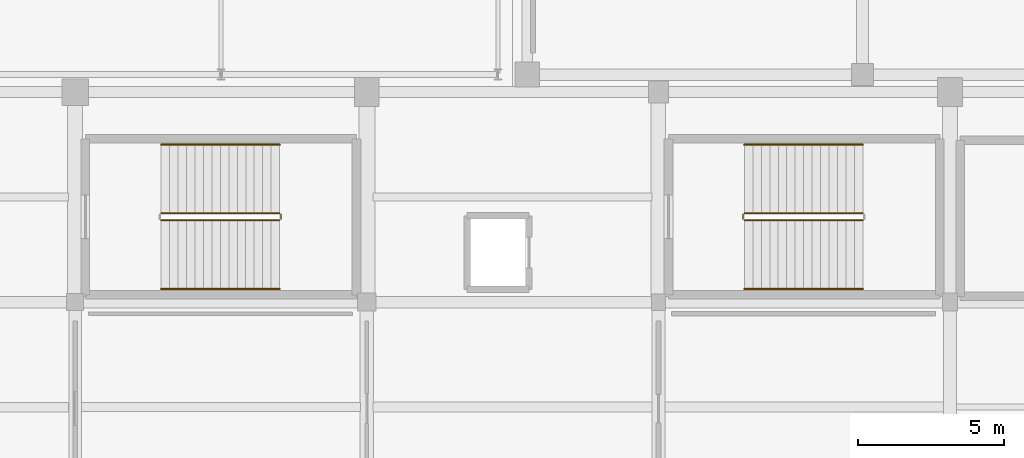
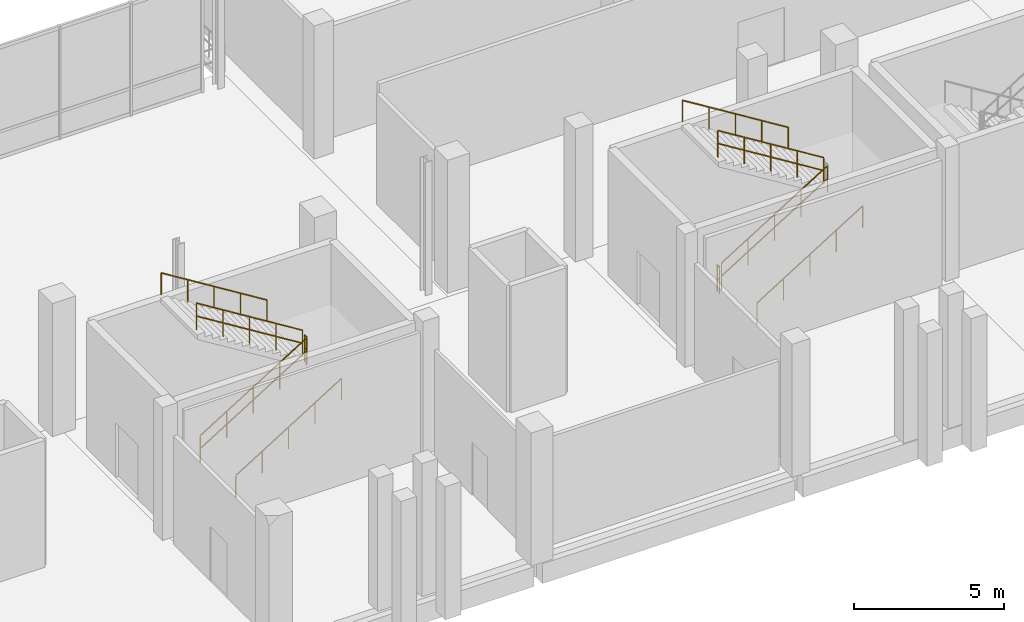
# One storey, part 111 of 114: 10 railings.
"""IFC4 building model written with IfcOpenShell, lengths in metres."""

from ifc_helpers import new_model, si_unit, direction, frame, origin, origin_2d, place, context, subcontext, project, spatial, circle, extrude, material, layer, layer_set, type_object, element, save


model = new_model("IFC4")

# Units and contexts
model_context = context("Model", 3, precision=1e-05, world=origin(), true_north=direction((0.0, 1.0)))
body_context = subcontext(model_context, "Body", "Model", "MODEL_VIEW")
ifc_project = project(units=[si_unit("LENGTHUNIT", "METRE"), si_unit("AREAUNIT", "SQUARE_METRE"), si_unit("VOLUMEUNIT", "CUBIC_METRE"), si_unit("PLANEANGLEUNIT", "RADIAN"), si_unit("MASSUNIT", "GRAM", prefix="KILO")], contexts=[model_context])

# Site, building, storey
site_placement = place(None, origin())
site = spatial("IfcSite", under=ifc_project, at=site_placement, CompositionType="ELEMENT")
building_placement = place(site_placement, origin())
building = spatial("IfcBuilding", under=site, at=building_placement, Name="Candeia Ridge Stadium", CompositionType="ELEMENT")
storey_placement = place(building_placement, frame((0.0, 0.0, 5.39990234375)))
storey = spatial("IfcBuildingStorey", under=building, at=storey_placement, Name="L01", CompositionType="ELEMENT", Elevation=5.39990234375)

# Railings
ifc_material_1 = material(Name="Brushed Stainless Steel", Category="steel")
ifc_layer_1 = layer(ifc_material_1, 0.048095703125, Name="Brushed Stainless Steel", Category="steel")
ifc_layer_set_1 = layer_set([ifc_layer_1], Name="Brushed Stainless Steel")
railing_type_1 = type_object("IfcRailingType", Name="Stair Wall & Flight Handrail 900", PredefinedType="HANDRAIL", material=ifc_layer_set_1)
railing_1_placement = place(storey_placement, frame((123.949951171875, 140.25, 0.18017578125)))
element("IfcRailing", 1, at=railing_1_placement, inside=storey, type_object=railing_type_1, Name="L01 ST10 stair handrail 1", PredefinedType="HANDRAIL", context=body_context, shape_type="SweptSolid", body=[
    extrude(circle(Radius=0.02392578125, at=origin_2d()), frame((0.0, 0.0, 0.8759765625), z_axis=(0.849641744969, 0.0, 0.527360318194), x_axis=(0.0, 1.0, 0.0)), (0.0, 0.0, 1.0), 4.778564453125),
    extrude(circle(Radius=0.02099609375, at=origin_2d()), origin(), (0.0, 0.0, 1.0), 0.851806640625),
    extrude(circle(Radius=0.02099609375, at=origin_2d()), frame((1.01513671875, 0.0, 0.6298828125)), (0.0, 0.0, 1.0), 0.851806640625),
    extrude(circle(Radius=0.02099609375, at=origin_2d()), frame((2.030029296875, 0.0, 1.260009765625)), (0.0, 0.0, 1.0), 0.851806640625),
    extrude(circle(Radius=0.02099609375, at=origin_2d()), frame((3.044921875, 0.0, 1.89013671875)), (0.0, 0.0, 1.0), 0.851806640625),
    extrude(circle(Radius=0.02099609375, at=origin_2d()), frame((4.06005859375, 0.0, 2.52001953125)), (0.0, 0.0, 1.0), 0.851806640625),
])
railing_2_placement = place(storey_placement, frame((128.010009765625, 145.199951171875, 2.880126953125)))
element("IfcRailing", 2, at=railing_2_placement, inside=storey, type_object=railing_type_1, Name="L01 ST10 stair handrail 2", PredefinedType="HANDRAIL", context=body_context, shape_type="SweptSolid", body=[
    extrude(circle(Radius=0.02392578125, at=origin_2d()), frame((0.0, 0.0, 0.8759765625), z_axis=(-0.849641744969, 0.0, 0.527360318194), x_axis=(0.0, -1.0, 0.0)), (0.0, 0.0, 1.0), 4.778564453125),
    extrude(circle(Radius=0.02099609375, at=origin_2d()), origin(), (0.0, 0.0, 1.0), 0.851806640625),
    extrude(circle(Radius=0.02099609375, at=origin_2d()), frame((-1.01513671875, 0.0, 0.6298828125)), (0.0, 0.0, 1.0), 0.851806640625),
    extrude(circle(Radius=0.02099609375, at=origin_2d()), frame((-2.030029296875, 0.0, 1.260009765625)), (0.0, 0.0, 1.0), 0.851806640625),
    extrude(circle(Radius=0.02099609375, at=origin_2d()), frame((-3.044921875, 0.0, 1.89013671875)), (0.0, 0.0, 1.0), 0.851806640625),
    extrude(circle(Radius=0.02099609375, at=origin_2d()), frame((-4.06005859375, 0.0, 2.52001953125)), (0.0, 0.0, 1.0), 0.851806640625),
])
railing_3_placement = place(storey_placement, frame((103.949951171875, 140.25, 0.18017578125)))
element("IfcRailing", 3, at=railing_3_placement, inside=storey, type_object=railing_type_1, Name="L01 ST17 stair handrail 1", PredefinedType="HANDRAIL", context=body_context, shape_type="SweptSolid", body=[
    extrude(circle(Radius=0.02392578125, at=origin_2d()), frame((0.0, 0.0, 0.8759765625), z_axis=(0.849641744969, 0.0, 0.527360318194), x_axis=(0.0, 1.0, 0.0)), (0.0, 0.0, 1.0), 4.778564453125),
    extrude(circle(Radius=0.02099609375, at=origin_2d()), origin(), (0.0, 0.0, 1.0), 0.851806640625),
    extrude(circle(Radius=0.02099609375, at=origin_2d()), frame((1.01513671875, 0.0, 0.6298828125)), (0.0, 0.0, 1.0), 0.851806640625),
    extrude(circle(Radius=0.02099609375, at=origin_2d()), frame((2.030029296875, 0.0, 1.260009765625)), (0.0, 0.0, 1.0), 0.851806640625),
    extrude(circle(Radius=0.02099609375, at=origin_2d()), frame((3.044921875, 0.0, 1.89013671875)), (0.0, 0.0, 1.0), 0.851806640625),
    extrude(circle(Radius=0.02099609375, at=origin_2d()), frame((4.06005859375, 0.0, 2.52001953125)), (0.0, 0.0, 1.0), 0.851806640625),
])
railing_4_placement = place(storey_placement, frame((108.010009765625, 145.199951171875, 2.880126953125)))
element("IfcRailing", 4, at=railing_4_placement, inside=storey, type_object=railing_type_1, Name="L01 ST17 stair handrail 2", PredefinedType="HANDRAIL", context=body_context, shape_type="SweptSolid", body=[
    extrude(circle(Radius=0.02392578125, at=origin_2d()), frame((0.0, 0.0, 0.8759765625), z_axis=(-0.849641744969, 0.0, 0.527360318194), x_axis=(0.0, -1.0, 0.0)), (0.0, 0.0, 1.0), 4.778564453125),
    extrude(circle(Radius=0.02099609375, at=origin_2d()), origin(), (0.0, 0.0, 1.0), 0.851806640625),
    extrude(circle(Radius=0.02099609375, at=origin_2d()), frame((-1.01513671875, 0.0, 0.6298828125)), (0.0, 0.0, 1.0), 0.851806640625),
    extrude(circle(Radius=0.02099609375, at=origin_2d()), frame((-2.030029296875, 0.0, 1.260009765625)), (0.0, 0.0, 1.0), 0.851806640625),
    extrude(circle(Radius=0.02099609375, at=origin_2d()), frame((-3.044921875, 0.0, 1.89013671875)), (0.0, 0.0, 1.0), 0.851806640625),
    extrude(circle(Radius=0.02099609375, at=origin_2d()), frame((-4.06005859375, 0.0, 2.52001953125)), (0.0, 0.0, 1.0), 0.851806640625),
])
ifc_material_2 = material(Name="Galvanized Powder-Coated Steel", Category="steel")
ifc_layer_2 = layer(ifc_material_2, 0.06005859375, Name="Galvanized Powder-Coated Steel", Category="steel")
ifc_layer_set_2 = layer_set([ifc_layer_2], Name="Galvanized Powder-Coated Steel")
railing_type_2 = type_object("IfcRailingType", Name="Stair Well Guardrail 1100", PredefinedType="GUARDRAIL", material=ifc_layer_set_2)
railing_5_placement = place(storey_placement, frame((123.949951171875, 142.60009765625, 0.18017578125)))
element("IfcRailing", 5, at=railing_5_placement, inside=storey, type_object=railing_type_2, Name="L01 ST10 stair guard 1", PredefinedType="GUARDRAIL", context=body_context, shape_type="SweptSolid", body=[
    extrude(circle(Radius=0.02392578125, at=origin_2d()), frame((0.0, 0.0, 1.076171875), z_axis=(0.849641744969, 0.0, 0.527360318194), x_axis=(0.0, 1.0, 0.0)), (0.0, 0.0, 1.0), 4.778564453125),
    extrude(circle(Radius=0.02392578125, at=origin_2d()), frame((0.0, 0.0, 0.550048828125), z_axis=(0.849641744969, 0.0, 0.527360318194), x_axis=(0.0, 1.0, 0.0)), (0.0, 0.0, 1.0), 4.778564453125),
    extrude(circle(Radius=0.02099609375, at=origin_2d()), origin(), (0.0, 0.0, 1.0), 1.052001953125),
    extrude(circle(Radius=0.02099609375, at=origin_2d()), frame((1.01513671875, 0.0, 0.6298828125)), (0.0, 0.0, 1.0), 1.052001953125),
    extrude(circle(Radius=0.02099609375, at=origin_2d()), frame((2.030029296875, 0.0, 1.260009765625)), (0.0, 0.0, 1.0), 1.052001953125),
    extrude(circle(Radius=0.02099609375, at=origin_2d()), frame((3.044921875, 0.0, 1.89013671875)), (0.0, 0.0, 1.0), 1.052001953125),
    extrude(circle(Radius=0.02099609375, at=origin_2d()), frame((4.06005859375, 0.0, 2.52001953125)), (0.0, 0.0, 1.0), 1.052001953125),
])
railing_6_placement = place(storey_placement, frame((128.010009765625, 142.85009765625, 2.880126953125)))
element("IfcRailing", 6, at=railing_6_placement, inside=storey, type_object=railing_type_2, Name="L01 ST10 stair guard 3", PredefinedType="GUARDRAIL", context=body_context, shape_type="SweptSolid", body=[
    extrude(circle(Radius=0.02392578125, at=origin_2d()), frame((0.0, 0.0, 1.076171875), z_axis=(-0.849641744969, 0.0, 0.527360318194), x_axis=(0.0, -1.0, 0.0)), (0.0, 0.0, 1.0), 4.778564453125),
    extrude(circle(Radius=0.02392578125, at=origin_2d()), frame((0.0, 0.0, 0.550048828125), z_axis=(-0.849641744969, 0.0, 0.527360318194), x_axis=(0.0, -1.0, 0.0)), (0.0, 0.0, 1.0), 4.778564453125),
    extrude(circle(Radius=0.02099609375, at=origin_2d()), origin(), (0.0, 0.0, 1.0), 1.052001953125),
    extrude(circle(Radius=0.02099609375, at=origin_2d()), frame((-1.01513671875, 0.0, 0.6298828125)), (0.0, 0.0, 1.0), 1.052001953125),
    extrude(circle(Radius=0.02099609375, at=origin_2d()), frame((-2.030029296875, 0.0, 1.260009765625)), (0.0, 0.0, 1.0), 1.052001953125),
    extrude(circle(Radius=0.02099609375, at=origin_2d()), frame((-3.044921875, 0.0, 1.89013671875)), (0.0, 0.0, 1.0), 1.052001953125),
    extrude(circle(Radius=0.02099609375, at=origin_2d()), frame((-4.06005859375, 0.0, 2.52001953125)), (0.0, 0.0, 1.0), 1.052001953125),
])
railing_7_placement = place(storey_placement, frame((123.89990234375, 142.64990234375, 0.0)))
element("IfcRailing", 7, at=railing_7_placement, inside=storey, type_object=railing_type_2, Name="L01 ST10 stair guard 4", PredefinedType="GUARDRAIL", context=body_context, shape_type="SweptSolid", body=[
    extrude(circle(Radius=0.02392578125, at=origin_2d()), frame((0.0, 0.0, 1.076171875), z_axis=(0.0, 1.0, 0.0), x_axis=(-1.0, 0.0, 0.0)), (0.0, 0.0, 1.0), 0.150146484375),
    extrude(circle(Radius=0.02392578125, at=origin_2d()), frame((0.0, 0.0, 0.550048828125), z_axis=(0.0, 1.0, 0.0), x_axis=(-1.0, 0.0, 0.0)), (0.0, 0.0, 1.0), 0.150146484375),
    extrude(circle(Radius=0.02099609375, at=origin_2d()), origin(), (0.0, 0.0, 1.0), 1.052001953125),
    extrude(circle(Radius=0.02099609375, at=origin_2d()), frame((0.0, 0.150146484375, 0.0)), (0.0, 0.0, 1.0), 1.052001953125),
])
railing_8_placement = place(storey_placement, frame((103.949951171875, 142.60009765625, 0.18017578125)))
element("IfcRailing", 8, at=railing_8_placement, inside=storey, type_object=railing_type_2, Name="L01 ST17 stair guard 1", PredefinedType="GUARDRAIL", context=body_context, shape_type="SweptSolid", body=[
    extrude(circle(Radius=0.02392578125, at=origin_2d()), frame((0.0, 0.0, 1.076171875), z_axis=(0.849641744969, 0.0, 0.527360318194), x_axis=(0.0, 1.0, 0.0)), (0.0, 0.0, 1.0), 4.778564453125),
    extrude(circle(Radius=0.02392578125, at=origin_2d()), frame((0.0, 0.0, 0.550048828125), z_axis=(0.849641744969, 0.0, 0.527360318194), x_axis=(0.0, 1.0, 0.0)), (0.0, 0.0, 1.0), 4.778564453125),
    extrude(circle(Radius=0.02099609375, at=origin_2d()), origin(), (0.0, 0.0, 1.0), 1.052001953125),
    extrude(circle(Radius=0.02099609375, at=origin_2d()), frame((1.01513671875, 0.0, 0.6298828125)), (0.0, 0.0, 1.0), 1.052001953125),
    extrude(circle(Radius=0.02099609375, at=origin_2d()), frame((2.030029296875, 0.0, 1.260009765625)), (0.0, 0.0, 1.0), 1.052001953125),
    extrude(circle(Radius=0.02099609375, at=origin_2d()), frame((3.044921875, 0.0, 1.89013671875)), (0.0, 0.0, 1.0), 1.052001953125),
    extrude(circle(Radius=0.02099609375, at=origin_2d()), frame((4.06005859375, 0.0, 2.52001953125)), (0.0, 0.0, 1.0), 1.052001953125),
])
railing_9_placement = place(storey_placement, frame((108.06005859375, 142.64990234375, 2.7001953125)))
element("IfcRailing", 9, at=railing_9_placement, inside=storey, type_object=railing_type_2, Name="L01 ST17 stair guard 2", PredefinedType="GUARDRAIL", context=body_context, shape_type="SweptSolid", body=[
    extrude(circle(Radius=0.02392578125, at=origin_2d()), frame((0.0, 0.0, 1.076171875), z_axis=(0.0, 1.0, 0.0), x_axis=(-1.0, 0.0, 0.0)), (0.0, 0.0, 1.0), 0.150146484375),
    extrude(circle(Radius=0.02392578125, at=origin_2d()), frame((0.0, 0.0, 0.550048828125), z_axis=(0.0, 1.0, 0.0), x_axis=(-1.0, 0.0, 0.0)), (0.0, 0.0, 1.0), 0.150146484375),
    extrude(circle(Radius=0.02099609375, at=origin_2d()), origin(), (0.0, 0.0, 1.0), 1.052001953125),
    extrude(circle(Radius=0.02099609375, at=origin_2d()), frame((0.0, 0.150146484375, 0.0)), (0.0, 0.0, 1.0), 1.052001953125),
])
railing_10_placement = place(storey_placement, frame((108.010009765625, 142.85009765625, 2.880126953125)))
element("IfcRailing", 10, at=railing_10_placement, inside=storey, type_object=railing_type_2, Name="L01 ST17 stair guard 3", PredefinedType="GUARDRAIL", context=body_context, shape_type="SweptSolid", body=[
    extrude(circle(Radius=0.02392578125, at=origin_2d()), frame((0.0, 0.0, 1.076171875), z_axis=(-0.849641744969, 0.0, 0.527360318194), x_axis=(0.0, -1.0, 0.0)), (0.0, 0.0, 1.0), 4.778564453125),
    extrude(circle(Radius=0.02392578125, at=origin_2d()), frame((0.0, 0.0, 0.550048828125), z_axis=(-0.849641744969, 0.0, 0.527360318194), x_axis=(0.0, -1.0, 0.0)), (0.0, 0.0, 1.0), 4.778564453125),
    extrude(circle(Radius=0.02099609375, at=origin_2d()), origin(), (0.0, 0.0, 1.0), 1.052001953125),
    extrude(circle(Radius=0.02099609375, at=origin_2d()), frame((-1.01513671875, 0.0, 0.6298828125)), (0.0, 0.0, 1.0), 1.052001953125),
    extrude(circle(Radius=0.02099609375, at=origin_2d()), frame((-2.030029296875, 0.0, 1.260009765625)), (0.0, 0.0, 1.0), 1.052001953125),
    extrude(circle(Radius=0.02099609375, at=origin_2d()), frame((-3.044921875, 0.0, 1.89013671875)), (0.0, 0.0, 1.0), 1.052001953125),
    extrude(circle(Radius=0.02099609375, at=origin_2d()), frame((-4.06005859375, 0.0, 2.52001953125)), (0.0, 0.0, 1.0), 1.052001953125),
])

save(model, "model.ifc")
